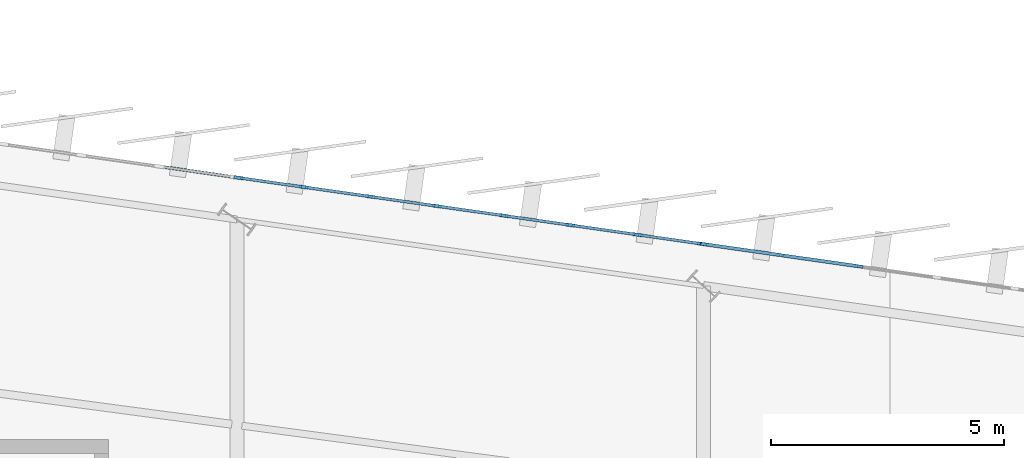
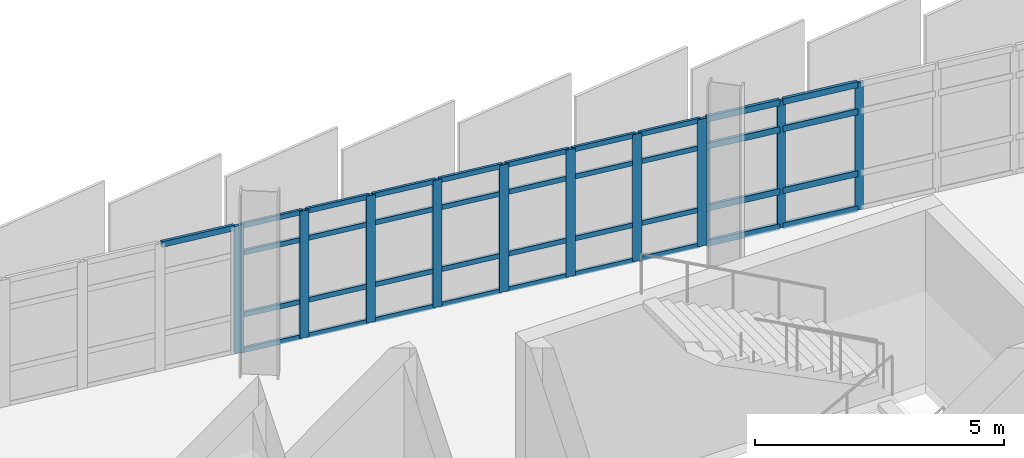
# One storey, part 55 of 120: 48 members, 3 elements without a shape of their own.
"""IFC4 building model written with IfcOpenShell, lengths in metres."""

from ifc_helpers import new_model, si_unit, direction, frame, origin, origin_2d, place, context, subcontext, project, spatial, rectangle, extrude, material, layer, layer_set, material_profile, profile_set, type_object, element, aggregate, save


model = new_model("IFC4")

# Units and contexts
model_context = context("Model", 3, precision=1e-05, world=origin(), true_north=direction((0.0, 1.0)))
body_context = subcontext(model_context, "Body", "Model", "MODEL_VIEW")
ifc_project = project(units=[si_unit("LENGTHUNIT", "METRE"), si_unit("AREAUNIT", "SQUARE_METRE"), si_unit("VOLUMEUNIT", "CUBIC_METRE"), si_unit("PLANEANGLEUNIT", "RADIAN"), si_unit("MASSUNIT", "GRAM", prefix="KILO")], contexts=[model_context])

# Site, building, storey
site_placement = place(None, origin())
site = spatial("IfcSite", under=ifc_project, at=site_placement, CompositionType="ELEMENT")
building_placement = place(site_placement, origin())
building = spatial("IfcBuilding", under=site, at=building_placement, Name="Sohan Crest Arena", CompositionType="ELEMENT")
storey_placement = place(building_placement, frame((0.0, 0.0, 13.5)))
storey = spatial("IfcBuildingStorey", under=building, at=storey_placement, Name="L03", CompositionType="ELEMENT", Elevation=13.5)

# Curtain wall, members
ifc_material = material(Name="Thermally broken anodised aluminium", Category="aluminium")
ifc_layer_1 = layer(ifc_material, 0.2099609375, Name="Thermally broken anodised aluminium")
ifc_layer_set_1 = layer_set([ifc_layer_1], Name="Thermally broken anodised aluminium")
curtain_wall_type_1 = type_object("IfcCurtainWallType", Name="ARC-CW06", PredefinedType="NOTDEFINED", material=ifc_layer_set_1)
curtain_wall_1_placement = place(storey_placement, origin())
curtain_wall_1 = element("IfcCurtainWall", 1, at=curtain_wall_1_placement, inside=storey, type_object=curtain_wall_type_1, Name="Unitised curtain wall CW-107", PredefinedType="NOTDEFINED")
ifc_material_profile_1 = material_profile(ifc_material, rectangle(XDim=0.06494140625, YDim=0.179931640625, at=origin_2d()), Name="ALU-MULL 65x180")
ifc_profile_set_1 = profile_set([ifc_material_profile_1], Name="Thermally broken anodised aluminium")
member_type_1 = type_object("IfcMemberType", Name="ARC-CW-ML02", PredefinedType="MULLION", material=ifc_profile_set_1)
member_1_placement = place(storey_placement, frame((141.333251953125, 120.709716796875, 0.0), z_axis=(0.0, 0.0, 1.0), x_axis=(-0.141462933734, -0.989943553128, 0.0)))
member_1 = element("IfcMember", 2, at=member_1_placement, type_object=member_type_1, Name="CW-107 mullion 5", PredefinedType="MULLION", context=body_context, shape_type="SweptSolid", body=[
    extrude(rectangle(XDim=0.06494140625, YDim=0.179931640625, at=origin_2d()), origin(), (0.0, 0.0, 1.0), 3.1201171875),
])
member_2_placement = place(storey_placement, frame((139.666748046875, 120.94775390625, 0.0), z_axis=(0.0, 0.0, 1.0), x_axis=(-0.141462933734, -0.989943553128, 0.0)))
member_2 = element("IfcMember", 3, at=member_2_placement, type_object=member_type_1, Name="CW-107 mullion 6", PredefinedType="MULLION", context=body_context, shape_type="SweptSolid", body=[
    extrude(rectangle(XDim=0.06494140625, YDim=0.179931640625, at=origin_2d()), origin(), (0.0, 0.0, 1.0), 3.1201171875),
])
member_3_placement = place(storey_placement, frame((138.0322265625, 121.181396484375, 0.0), z_axis=(0.0, 0.0, 1.0), x_axis=(-0.141462933734, -0.989943553128, 0.0)))
member_3 = element("IfcMember", 4, at=member_3_placement, type_object=member_type_1, Name="CW-107 mullion 7", PredefinedType="MULLION", context=body_context, shape_type="SweptSolid", body=[
    extrude(rectangle(XDim=0.06494140625, YDim=0.179931640625, at=origin_2d()), origin(), (0.0, 0.0, 1.0), 3.1201171875),
])

ifc_layer_2 = layer(ifc_material, 0.179931640625, Name="Thermally broken anodised aluminium")
ifc_layer_set_2 = layer_set([ifc_layer_2], Name="Thermally broken anodised aluminium")
curtain_wall_type_2 = type_object("IfcCurtainWallType", Name="ARC-CW01", PredefinedType="NOTDEFINED", material=ifc_layer_set_2)
curtain_wall_2_placement = place(storey_placement, origin())
curtain_wall_2 = element("IfcCurtainWall", 5, at=curtain_wall_2_placement, inside=storey, type_object=curtain_wall_type_2, Name="Unitised curtain wall CW-108", PredefinedType="NOTDEFINED")
ifc_material_profile_2 = material_profile(ifc_material, rectangle(XDim=0.070068359375, YDim=0.199951171875, at=origin_2d()), Name="ALU-MULL 70x200")
ifc_profile_set_2 = profile_set([ifc_material_profile_2], Name="Thermally broken anodised aluminium")
member_type_2 = type_object("IfcMemberType", Name="ARC-CW-ML03", PredefinedType="MULLION", material=ifc_profile_set_2)
member_4_placement = place(storey_placement, frame((137.96533203125, 121.19091796875, 0.0), z_axis=(0.0, 0.0, 1.0), x_axis=(-0.141365918403, -0.989957411768, 0.0)))
member_4 = element("IfcMember", 6, at=member_4_placement, type_object=member_type_2, Name="CW-108 mullion 1", PredefinedType="MULLION", context=body_context, shape_type="SweptSolid", body=[
    extrude(rectangle(XDim=0.070068359375, YDim=0.199951171875, at=origin_2d()), origin(), (0.0, 0.0, 1.0), 3.1201171875),
])
member_5_placement = place(storey_placement, frame((136.571533203125, 121.389892578125, 0.0), z_axis=(0.0, 0.0, 1.0), x_axis=(-0.141365918403, -0.989957411768, 0.0)))
member_5 = element("IfcMember", 7, at=member_5_placement, type_object=member_type_2, Name="CW-108 mullion 2", PredefinedType="MULLION", context=body_context, shape_type="SweptSolid", body=[
    extrude(rectangle(XDim=0.070068359375, YDim=0.199951171875, at=origin_2d()), origin(), (0.0, 0.0, 1.0), 3.1201171875),
])
member_6_placement = place(storey_placement, frame((135.142822265625, 121.593994140625, 0.0), z_axis=(0.0, 0.0, 1.0), x_axis=(-0.141365918403, -0.989957411768, 0.0)))
member_6 = element("IfcMember", 8, at=member_6_placement, type_object=member_type_2, Name="CW-108 mullion 3", PredefinedType="MULLION", context=body_context, shape_type="SweptSolid", body=[
    extrude(rectangle(XDim=0.070068359375, YDim=0.199951171875, at=origin_2d()), origin(), (0.0, 0.0, 1.0), 3.1201171875),
])
member_7_placement = place(storey_placement, frame((133.71435546875, 121.798095703125, 0.0), z_axis=(0.0, 0.0, 1.0), x_axis=(-0.141365918403, -0.989957411768, 0.0)))
member_7 = element("IfcMember", 9, at=member_7_placement, type_object=member_type_2, Name="CW-108 mullion 4", PredefinedType="MULLION", context=body_context, shape_type="SweptSolid", body=[
    extrude(rectangle(XDim=0.070068359375, YDim=0.199951171875, at=origin_2d()), origin(), (0.0, 0.0, 1.0), 3.1201171875),
])
member_8_placement = place(storey_placement, frame((132.28564453125, 122.001953125, 0.0), z_axis=(0.0, 0.0, 1.0), x_axis=(-0.141365918403, -0.989957411768, 0.0)))
member_8 = element("IfcMember", 10, at=member_8_placement, type_object=member_type_2, Name="CW-108 mullion 5", PredefinedType="MULLION", context=body_context, shape_type="SweptSolid", body=[
    extrude(rectangle(XDim=0.070068359375, YDim=0.199951171875, at=origin_2d()), origin(), (0.0, 0.0, 1.0), 3.1201171875),
])
member_9_placement = place(storey_placement, frame((130.857177734375, 122.2060546875, 0.0), z_axis=(0.0, 0.0, 1.0), x_axis=(-0.141365918403, -0.989957411768, 0.0)))
member_9 = element("IfcMember", 11, at=member_9_placement, type_object=member_type_2, Name="CW-108 mullion 6", PredefinedType="MULLION", context=body_context, shape_type="SweptSolid", body=[
    extrude(rectangle(XDim=0.070068359375, YDim=0.199951171875, at=origin_2d()), origin(), (0.0, 0.0, 1.0), 3.1201171875),
])
member_10_placement = place(storey_placement, frame((129.428466796875, 122.409912109375, 0.0), z_axis=(0.0, 0.0, 1.0), x_axis=(-0.141365918403, -0.989957411768, 0.0)))
member_10 = element("IfcMember", 12, at=member_10_placement, type_object=member_type_2, Name="CW-108 mullion 7", PredefinedType="MULLION", context=body_context, shape_type="SweptSolid", body=[
    extrude(rectangle(XDim=0.070068359375, YDim=0.199951171875, at=origin_2d()), origin(), (0.0, 0.0, 1.0), 3.1201171875),
])
member_11_placement = place(storey_placement, frame((128.03466796875, 122.609130859375, 0.0), z_axis=(0.0, 0.0, 1.0), x_axis=(-0.141365918403, -0.989957411768, 0.0)))
member_11 = element("IfcMember", 13, at=member_11_placement, type_object=member_type_2, Name="CW-108 mullion 8", PredefinedType="MULLION", context=body_context, shape_type="SweptSolid", body=[
    extrude(rectangle(XDim=0.070068359375, YDim=0.199951171875, at=origin_2d()), origin(), (0.0, 0.0, 1.0), 3.1201171875),
])
ifc_material_profile_3 = material_profile(ifc_material, rectangle(XDim=0.06005859375, YDim=0.1201171875, at=origin_2d()), Name="ALU-TRAN 60x120")
ifc_profile_set_3 = profile_set([ifc_material_profile_3], Name="Thermally broken anodised aluminium")
member_type_3 = type_object("IfcMemberType", Name="ARC-CW-TR01", PredefinedType="USERDEFINED", material=ifc_profile_set_3)
member_12_placement = place(storey_placement, frame((137.9306640625, 121.19580078125, 0.030029296875), z_axis=(-0.989953142256, 0.141395813721, 0.0), x_axis=(-0.141395813721, -0.989953142256, 0.0)))
member_12 = element("IfcMember", 14, at=member_12_placement, type_object=member_type_3, Name="CW-108 transom 1.1", ObjectType="TRANSOM", PredefinedType="USERDEFINED", context=body_context, shape_type="SweptSolid", body=[
    extrude(rectangle(XDim=0.06005859375, YDim=0.1201171875, at=origin_2d()), origin(), (0.0, 0.0, 1.0), 1.338134765625),
])
member_13_placement = place(storey_placement, frame((137.9306640625, 121.19580078125, 0.89990234375), z_axis=(-0.989953142256, 0.141395813721, 0.0), x_axis=(-0.141395813721, -0.989953142256, 0.0)))
member_13 = element("IfcMember", 15, at=member_13_placement, type_object=member_type_3, Name="CW-108 transom 1.2", ObjectType="TRANSOM", PredefinedType="USERDEFINED", context=body_context, shape_type="SweptSolid", body=[
    extrude(rectangle(XDim=0.06005859375, YDim=0.1201171875, at=origin_2d()), origin(), (0.0, 0.0, 1.0), 1.338134765625),
])
member_14_placement = place(storey_placement, frame((137.9306640625, 121.19580078125, 2.419921875), z_axis=(-0.989953142256, 0.141395813721, 0.0), x_axis=(-0.141395813721, -0.989953142256, 0.0)))
member_14 = element("IfcMember", 16, at=member_14_placement, type_object=member_type_3, Name="CW-108 transom 1.3", ObjectType="TRANSOM", PredefinedType="USERDEFINED", context=body_context, shape_type="SweptSolid", body=[
    extrude(rectangle(XDim=0.06005859375, YDim=0.1201171875, at=origin_2d()), origin(), (0.0, 0.0, 1.0), 1.338134765625),
])
member_15_placement = place(storey_placement, frame((137.9306640625, 121.19580078125, 3.090087890625), z_axis=(-0.989953142256, 0.141395813721, 0.0), x_axis=(-0.141395813721, -0.989953142256, 0.0)))
member_15 = element("IfcMember", 17, at=member_15_placement, type_object=member_type_3, Name="CW-108 transom 1.4", ObjectType="TRANSOM", PredefinedType="USERDEFINED", context=body_context, shape_type="SweptSolid", body=[
    extrude(rectangle(XDim=0.06005859375, YDim=0.1201171875, at=origin_2d()), origin(), (0.0, 0.0, 1.0), 1.338134765625),
])
member_16_placement = place(storey_placement, frame((136.536865234375, 121.39501953125, 0.030029296875), z_axis=(-0.989960158519, 0.141346682116, 0.0), x_axis=(-0.141346682116, -0.989960158519, 0.0)))
member_16 = element("IfcMember", 18, at=member_16_placement, type_object=member_type_3, Name="CW-108 transom 2.1", ObjectType="TRANSOM", PredefinedType="USERDEFINED", context=body_context, shape_type="SweptSolid", body=[
    extrude(rectangle(XDim=0.06005859375, YDim=0.1201171875, at=origin_2d()), origin(), (0.0, 0.0, 1.0), 1.373046875),
])
member_17_placement = place(storey_placement, frame((136.536865234375, 121.39501953125, 0.89990234375), z_axis=(-0.989960158519, 0.141346682116, 0.0), x_axis=(-0.141346682116, -0.989960158519, 0.0)))
member_17 = element("IfcMember", 19, at=member_17_placement, type_object=member_type_3, Name="CW-108 transom 2.2", ObjectType="TRANSOM", PredefinedType="USERDEFINED", context=body_context, shape_type="SweptSolid", body=[
    extrude(rectangle(XDim=0.06005859375, YDim=0.1201171875, at=origin_2d()), origin(), (0.0, 0.0, 1.0), 1.373046875),
])
member_18_placement = place(storey_placement, frame((136.536865234375, 121.39501953125, 2.419921875), z_axis=(-0.989960158519, 0.141346682116, 0.0), x_axis=(-0.141346682116, -0.989960158519, 0.0)))
member_18 = element("IfcMember", 20, at=member_18_placement, type_object=member_type_3, Name="CW-108 transom 2.3", ObjectType="TRANSOM", PredefinedType="USERDEFINED", context=body_context, shape_type="SweptSolid", body=[
    extrude(rectangle(XDim=0.06005859375, YDim=0.1201171875, at=origin_2d()), origin(), (0.0, 0.0, 1.0), 1.373046875),
])
member_19_placement = place(storey_placement, frame((136.536865234375, 121.39501953125, 3.090087890625), z_axis=(-0.989960158519, 0.141346682116, 0.0), x_axis=(-0.141346682116, -0.989960158519, 0.0)))
member_19 = element("IfcMember", 21, at=member_19_placement, type_object=member_type_3, Name="CW-108 transom 2.4", ObjectType="TRANSOM", PredefinedType="USERDEFINED", context=body_context, shape_type="SweptSolid", body=[
    extrude(rectangle(XDim=0.06005859375, YDim=0.1201171875, at=origin_2d()), origin(), (0.0, 0.0, 1.0), 1.373046875),
])
member_20_placement = place(storey_placement, frame((135.108154296875, 121.598876953125, 0.030029296875), z_axis=(-0.989956605444, 0.141371564815, 0.0), x_axis=(-0.141371564815, -0.989956605444, 0.0)))
member_20 = element("IfcMember", 22, at=member_20_placement, type_object=member_type_3, Name="CW-108 transom 3.1", ObjectType="TRANSOM", PredefinedType="USERDEFINED", context=body_context, shape_type="SweptSolid", body=[
    extrude(rectangle(XDim=0.06005859375, YDim=0.1201171875, at=origin_2d()), origin(), (0.0, 0.0, 1.0), 1.372802734375),
])
member_21_placement = place(storey_placement, frame((135.108154296875, 121.598876953125, 0.89990234375), z_axis=(-0.989956605444, 0.141371564815, 0.0), x_axis=(-0.141371564815, -0.989956605444, 0.0)))
member_21 = element("IfcMember", 23, at=member_21_placement, type_object=member_type_3, Name="CW-108 transom 3.2", ObjectType="TRANSOM", PredefinedType="USERDEFINED", context=body_context, shape_type="SweptSolid", body=[
    extrude(rectangle(XDim=0.06005859375, YDim=0.1201171875, at=origin_2d()), origin(), (0.0, 0.0, 1.0), 1.372802734375),
])
member_22_placement = place(storey_placement, frame((135.108154296875, 121.598876953125, 2.419921875), z_axis=(-0.989956605444, 0.141371564815, 0.0), x_axis=(-0.141371564815, -0.989956605444, 0.0)))
member_22 = element("IfcMember", 24, at=member_22_placement, type_object=member_type_3, Name="CW-108 transom 3.3", ObjectType="TRANSOM", PredefinedType="USERDEFINED", context=body_context, shape_type="SweptSolid", body=[
    extrude(rectangle(XDim=0.06005859375, YDim=0.1201171875, at=origin_2d()), origin(), (0.0, 0.0, 1.0), 1.372802734375),
])
member_23_placement = place(storey_placement, frame((135.108154296875, 121.598876953125, 3.090087890625), z_axis=(-0.989956605444, 0.141371564815, 0.0), x_axis=(-0.141371564815, -0.989956605444, 0.0)))
member_23 = element("IfcMember", 25, at=member_23_placement, type_object=member_type_3, Name="CW-108 transom 3.4", ObjectType="TRANSOM", PredefinedType="USERDEFINED", context=body_context, shape_type="SweptSolid", body=[
    extrude(rectangle(XDim=0.06005859375, YDim=0.1201171875, at=origin_2d()), origin(), (0.0, 0.0, 1.0), 1.372802734375),
])
member_24_placement = place(storey_placement, frame((133.6796875, 121.802978515625, 0.030029296875), z_axis=(-0.989960158519, 0.141346682116, 0.0), x_axis=(-0.141346682116, -0.989960158519, 0.0)))
member_24 = element("IfcMember", 26, at=member_24_placement, type_object=member_type_3, Name="CW-108 transom 4.1", ObjectType="TRANSOM", PredefinedType="USERDEFINED", context=body_context, shape_type="SweptSolid", body=[
    extrude(rectangle(XDim=0.06005859375, YDim=0.1201171875, at=origin_2d()), origin(), (0.0, 0.0, 1.0), 1.373046875),
])
member_25_placement = place(storey_placement, frame((133.6796875, 121.802978515625, 0.89990234375), z_axis=(-0.989960158519, 0.141346682116, 0.0), x_axis=(-0.141346682116, -0.989960158519, 0.0)))
member_25 = element("IfcMember", 27, at=member_25_placement, type_object=member_type_3, Name="CW-108 transom 4.2", ObjectType="TRANSOM", PredefinedType="USERDEFINED", context=body_context, shape_type="SweptSolid", body=[
    extrude(rectangle(XDim=0.06005859375, YDim=0.1201171875, at=origin_2d()), origin(), (0.0, 0.0, 1.0), 1.373046875),
])
member_26_placement = place(storey_placement, frame((133.6796875, 121.802978515625, 2.419921875), z_axis=(-0.989960158519, 0.141346682116, 0.0), x_axis=(-0.141346682116, -0.989960158519, 0.0)))
member_26 = element("IfcMember", 28, at=member_26_placement, type_object=member_type_3, Name="CW-108 transom 4.3", ObjectType="TRANSOM", PredefinedType="USERDEFINED", context=body_context, shape_type="SweptSolid", body=[
    extrude(rectangle(XDim=0.06005859375, YDim=0.1201171875, at=origin_2d()), origin(), (0.0, 0.0, 1.0), 1.373046875),
])
member_27_placement = place(storey_placement, frame((133.6796875, 121.802978515625, 3.090087890625), z_axis=(-0.989960158519, 0.141346682116, 0.0), x_axis=(-0.141346682116, -0.989960158519, 0.0)))
member_27 = element("IfcMember", 29, at=member_27_placement, type_object=member_type_3, Name="CW-108 transom 4.4", ObjectType="TRANSOM", PredefinedType="USERDEFINED", context=body_context, shape_type="SweptSolid", body=[
    extrude(rectangle(XDim=0.06005859375, YDim=0.1201171875, at=origin_2d()), origin(), (0.0, 0.0, 1.0), 1.373046875),
])
member_28_placement = place(storey_placement, frame((132.2509765625, 122.0068359375, 0.030029296875), z_axis=(-0.989931703696, 0.141545830096, 0.0), x_axis=(-0.141545830096, -0.989931703696, 0.0)))
member_28 = element("IfcMember", 30, at=member_28_placement, type_object=member_type_3, Name="CW-108 transom 5.1", ObjectType="TRANSOM", PredefinedType="USERDEFINED", context=body_context, shape_type="SweptSolid", body=[
    extrude(rectangle(XDim=0.06005859375, YDim=0.1201171875, at=origin_2d()), origin(), (0.0, 0.0, 1.0), 1.373046875),
])
member_29_placement = place(storey_placement, frame((132.2509765625, 122.0068359375, 0.89990234375), z_axis=(-0.989931703696, 0.141545830096, 0.0), x_axis=(-0.141545830096, -0.989931703696, 0.0)))
member_29 = element("IfcMember", 31, at=member_29_placement, type_object=member_type_3, Name="CW-108 transom 5.2", ObjectType="TRANSOM", PredefinedType="USERDEFINED", context=body_context, shape_type="SweptSolid", body=[
    extrude(rectangle(XDim=0.06005859375, YDim=0.1201171875, at=origin_2d()), origin(), (0.0, 0.0, 1.0), 1.373046875),
])
member_30_placement = place(storey_placement, frame((132.2509765625, 122.0068359375, 2.419921875), z_axis=(-0.989931703696, 0.141545830096, 0.0), x_axis=(-0.141545830096, -0.989931703696, 0.0)))
member_30 = element("IfcMember", 32, at=member_30_placement, type_object=member_type_3, Name="CW-108 transom 5.3", ObjectType="TRANSOM", PredefinedType="USERDEFINED", context=body_context, shape_type="SweptSolid", body=[
    extrude(rectangle(XDim=0.06005859375, YDim=0.1201171875, at=origin_2d()), origin(), (0.0, 0.0, 1.0), 1.373046875),
])
member_31_placement = place(storey_placement, frame((132.2509765625, 122.0068359375, 3.090087890625), z_axis=(-0.989931703696, 0.141545830096, 0.0), x_axis=(-0.141545830096, -0.989931703696, 0.0)))
member_31 = element("IfcMember", 33, at=member_31_placement, type_object=member_type_3, Name="CW-108 transom 5.4", ObjectType="TRANSOM", PredefinedType="USERDEFINED", context=body_context, shape_type="SweptSolid", body=[
    extrude(rectangle(XDim=0.06005859375, YDim=0.1201171875, at=origin_2d()), origin(), (0.0, 0.0, 1.0), 1.373046875),
])
member_32_placement = place(storey_placement, frame((130.822509765625, 122.2109375, 0.030029296875), z_axis=(-0.989960158519, 0.141346682116, 0.0), x_axis=(-0.141346682116, -0.989960158519, 0.0)))
member_32 = element("IfcMember", 34, at=member_32_placement, type_object=member_type_3, Name="CW-108 transom 6.1", ObjectType="TRANSOM", PredefinedType="USERDEFINED", context=body_context, shape_type="SweptSolid", body=[
    extrude(rectangle(XDim=0.06005859375, YDim=0.1201171875, at=origin_2d()), origin(), (0.0, 0.0, 1.0), 1.373046875),
])
member_33_placement = place(storey_placement, frame((130.822509765625, 122.2109375, 0.89990234375), z_axis=(-0.989960158519, 0.141346682116, 0.0), x_axis=(-0.141346682116, -0.989960158519, 0.0)))
member_33 = element("IfcMember", 35, at=member_33_placement, type_object=member_type_3, Name="CW-108 transom 6.2", ObjectType="TRANSOM", PredefinedType="USERDEFINED", context=body_context, shape_type="SweptSolid", body=[
    extrude(rectangle(XDim=0.06005859375, YDim=0.1201171875, at=origin_2d()), origin(), (0.0, 0.0, 1.0), 1.373046875),
])
member_34_placement = place(storey_placement, frame((130.822509765625, 122.2109375, 2.419921875), z_axis=(-0.989960158519, 0.141346682116, 0.0), x_axis=(-0.141346682116, -0.989960158519, 0.0)))
member_34 = element("IfcMember", 36, at=member_34_placement, type_object=member_type_3, Name="CW-108 transom 6.3", ObjectType="TRANSOM", PredefinedType="USERDEFINED", context=body_context, shape_type="SweptSolid", body=[
    extrude(rectangle(XDim=0.06005859375, YDim=0.1201171875, at=origin_2d()), origin(), (0.0, 0.0, 1.0), 1.373046875),
])
member_35_placement = place(storey_placement, frame((130.822509765625, 122.2109375, 3.090087890625), z_axis=(-0.989960158519, 0.141346682116, 0.0), x_axis=(-0.141346682116, -0.989960158519, 0.0)))
member_35 = element("IfcMember", 37, at=member_35_placement, type_object=member_type_3, Name="CW-108 transom 6.4", ObjectType="TRANSOM", PredefinedType="USERDEFINED", context=body_context, shape_type="SweptSolid", body=[
    extrude(rectangle(XDim=0.06005859375, YDim=0.1201171875, at=origin_2d()), origin(), (0.0, 0.0, 1.0), 1.373046875),
])
member_36_placement = place(storey_placement, frame((129.39404296875, 122.4150390625, 0.030029296875), z_axis=(-0.989978664717, 0.1412170082, 0.0), x_axis=(-0.1412170082, -0.989978664717, 0.0)))
member_36 = element("IfcMember", 38, at=member_36_placement, type_object=member_type_3, Name="CW-108 transom 7.1", ObjectType="TRANSOM", PredefinedType="USERDEFINED", context=body_context, shape_type="SweptSolid", body=[
    extrude(rectangle(XDim=0.06005859375, YDim=0.1201171875, at=origin_2d()), origin(), (0.0, 0.0, 1.0), 1.338134765625),
])
member_37_placement = place(storey_placement, frame((129.39404296875, 122.4150390625, 0.89990234375), z_axis=(-0.989978664717, 0.1412170082, 0.0), x_axis=(-0.1412170082, -0.989978664717, 0.0)))
member_37 = element("IfcMember", 39, at=member_37_placement, type_object=member_type_3, Name="CW-108 transom 7.2", ObjectType="TRANSOM", PredefinedType="USERDEFINED", context=body_context, shape_type="SweptSolid", body=[
    extrude(rectangle(XDim=0.06005859375, YDim=0.1201171875, at=origin_2d()), origin(), (0.0, 0.0, 1.0), 1.338134765625),
])
member_38_placement = place(storey_placement, frame((129.39404296875, 122.4150390625, 2.419921875), z_axis=(-0.989978664717, 0.1412170082, 0.0), x_axis=(-0.1412170082, -0.989978664717, 0.0)))
member_38 = element("IfcMember", 40, at=member_38_placement, type_object=member_type_3, Name="CW-108 transom 7.3", ObjectType="TRANSOM", PredefinedType="USERDEFINED", context=body_context, shape_type="SweptSolid", body=[
    extrude(rectangle(XDim=0.06005859375, YDim=0.1201171875, at=origin_2d()), origin(), (0.0, 0.0, 1.0), 1.338134765625),
])
member_39_placement = place(storey_placement, frame((129.39404296875, 122.4150390625, 3.090087890625), z_axis=(-0.989978664717, 0.1412170082, 0.0), x_axis=(-0.1412170082, -0.989978664717, 0.0)))
member_39 = element("IfcMember", 41, at=member_39_placement, type_object=member_type_3, Name="CW-108 transom 7.4", ObjectType="TRANSOM", PredefinedType="USERDEFINED", context=body_context, shape_type="SweptSolid", body=[
    extrude(rectangle(XDim=0.06005859375, YDim=0.1201171875, at=origin_2d()), origin(), (0.0, 0.0, 1.0), 1.338134765625),
])
aggregate(curtain_wall_2, [member_4, member_5, member_6, member_7, member_8, member_9, member_10, member_11, member_12, member_13, member_14, member_15, member_16, member_17, member_18, member_19, member_20, member_21, member_22, member_23, member_24, member_25, member_26, member_27, member_28, member_29, member_30, member_31, member_32, member_33, member_34, member_35, member_36, member_37, member_38, member_39])

# Curtain wall, member
ifc_layer_3 = layer(ifc_material, 0.199951171875, Name="Thermally broken anodised aluminium")
ifc_layer_set_3 = layer_set([ifc_layer_3], Name="Thermally broken anodised aluminium")
curtain_wall_type_3 = type_object("IfcCurtainWallType", Name="ARC-CW02", PredefinedType="NOTDEFINED", material=ifc_layer_set_3)
curtain_wall_3_placement = place(storey_placement, origin())
curtain_wall_3 = element("IfcCurtainWall", 42, at=curtain_wall_3_placement, inside=storey, type_object=curtain_wall_type_3, Name="Unitised curtain wall CW-109", PredefinedType="NOTDEFINED")
ifc_material_profile_4 = material_profile(ifc_material, rectangle(XDim=0.06494140625, YDim=0.139892578125, at=origin_2d()), Name="ALU-TRAN 65x140")
ifc_profile_set_4 = profile_set([ifc_material_profile_4], Name="Thermally broken anodised aluminium")
member_type_4 = type_object("IfcMemberType", Name="ARC-CW-TR02", PredefinedType="USERDEFINED", material=ifc_profile_set_4)
member_40_placement = place(storey_placement, frame((127.92578125, 122.62451171875, 3.08740234375), z_axis=(-0.989930839365, 0.141551874849, 0.0), x_axis=(-0.141551874849, -0.989930839365, 0.0)))
member_40 = element("IfcMember", 43, at=member_40_placement, type_object=member_type_4, Name="CW-109 transom 1.4", ObjectType="TRANSOM", PredefinedType="USERDEFINED", context=body_context, shape_type="SweptSolid", body=[
    extrude(rectangle(XDim=0.06494140625, YDim=0.139892578125, at=origin_2d()), origin(), (0.0, 0.0, 1.0), 1.5712890625),
])
aggregate(curtain_wall_3, [member_40])

# Member
ifc_material_profile_5 = material_profile(ifc_material, rectangle(XDim=0.070068359375, YDim=0.14990234375, at=origin_2d()), Name="ALU-TRAN 70x150")
ifc_profile_set_5 = profile_set([ifc_material_profile_5], Name="Thermally broken anodised aluminium")
member_type_5 = type_object("IfcMemberType", Name="ARC-CW-TR03", PredefinedType="USERDEFINED", material=ifc_profile_set_5)
member_41_placement = place(storey_placement, frame((141.30126953125, 120.71435546875, 0.034912109375), z_axis=(-0.989964569759, 0.141315783343, 0.0), x_axis=(-0.141315783343, -0.989964569759, 0.0)))
member_41 = element("IfcMember", 44, at=member_41_placement, type_object=member_type_5, Name="CW-107 transom 5.1", ObjectType="TRANSOM", PredefinedType="USERDEFINED", context=body_context, shape_type="SweptSolid", body=[
    extrude(rectangle(XDim=0.070068359375, YDim=0.14990234375, at=origin_2d()), origin(), (0.0, 0.0, 1.0), 1.618896484375),
])

member_42_placement = place(storey_placement, frame((141.30126953125, 120.71435546875, 0.89990234375), z_axis=(-0.989964569759, 0.141315783343, 0.0), x_axis=(-0.141315783343, -0.989964569759, 0.0)))
member_42 = element("IfcMember", 45, at=member_42_placement, type_object=member_type_5, Name="CW-107 transom 5.2", ObjectType="TRANSOM", PredefinedType="USERDEFINED", context=body_context, shape_type="SweptSolid", body=[
    extrude(rectangle(XDim=0.070068359375, YDim=0.14990234375, at=origin_2d()), origin(), (0.0, 0.0, 1.0), 1.618896484375),
])

member_43_placement = place(storey_placement, frame((141.30126953125, 120.71435546875, 2.419921875), z_axis=(-0.989964569759, 0.141315783343, 0.0), x_axis=(-0.141315783343, -0.989964569759, 0.0)))
member_43 = element("IfcMember", 46, at=member_43_placement, type_object=member_type_5, Name="CW-107 transom 5.3", ObjectType="TRANSOM", PredefinedType="USERDEFINED", context=body_context, shape_type="SweptSolid", body=[
    extrude(rectangle(XDim=0.070068359375, YDim=0.14990234375, at=origin_2d()), origin(), (0.0, 0.0, 1.0), 1.618896484375),
])

member_44_placement = place(storey_placement, frame((141.30126953125, 120.71435546875, 3.0849609375), z_axis=(-0.989964569759, 0.141315783343, 0.0), x_axis=(-0.141315783343, -0.989964569759, 0.0)))
member_44 = element("IfcMember", 47, at=member_44_placement, type_object=member_type_5, Name="CW-107 transom 5.4", ObjectType="TRANSOM", PredefinedType="USERDEFINED", context=body_context, shape_type="SweptSolid", body=[
    extrude(rectangle(XDim=0.070068359375, YDim=0.14990234375, at=origin_2d()), origin(), (0.0, 0.0, 1.0), 1.618896484375),
])

member_45_placement = place(storey_placement, frame((139.634521484375, 120.952392578125, 0.034912109375), z_axis=(-0.989943335402, 0.141464457353, 0.0), x_axis=(-0.141464457353, -0.989943335402, 0.0)))
member_45 = element("IfcMember", 48, at=member_45_placement, type_object=member_type_5, Name="CW-107 transom 6.1", ObjectType="TRANSOM", PredefinedType="USERDEFINED", context=body_context, shape_type="SweptSolid", body=[
    extrude(rectangle(XDim=0.070068359375, YDim=0.14990234375, at=origin_2d()), origin(), (0.0, 0.0, 1.0), 1.5859375),
])

member_46_placement = place(storey_placement, frame((139.634521484375, 120.952392578125, 0.89990234375), z_axis=(-0.989943335402, 0.141464457353, 0.0), x_axis=(-0.141464457353, -0.989943335402, 0.0)))
member_46 = element("IfcMember", 49, at=member_46_placement, type_object=member_type_5, Name="CW-107 transom 6.2", ObjectType="TRANSOM", PredefinedType="USERDEFINED", context=body_context, shape_type="SweptSolid", body=[
    extrude(rectangle(XDim=0.070068359375, YDim=0.14990234375, at=origin_2d()), origin(), (0.0, 0.0, 1.0), 1.5859375),
])

member_47_placement = place(storey_placement, frame((139.634521484375, 120.952392578125, 2.419921875), z_axis=(-0.989943335402, 0.141464457353, 0.0), x_axis=(-0.141464457353, -0.989943335402, 0.0)))
member_47 = element("IfcMember", 50, at=member_47_placement, type_object=member_type_5, Name="CW-107 transom 6.3", ObjectType="TRANSOM", PredefinedType="USERDEFINED", context=body_context, shape_type="SweptSolid", body=[
    extrude(rectangle(XDim=0.070068359375, YDim=0.14990234375, at=origin_2d()), origin(), (0.0, 0.0, 1.0), 1.5859375),
])

member_48_placement = place(storey_placement, frame((139.634521484375, 120.952392578125, 3.0849609375), z_axis=(-0.989943335402, 0.141464457353, 0.0), x_axis=(-0.141464457353, -0.989943335402, 0.0)))
member_48 = element("IfcMember", 51, at=member_48_placement, type_object=member_type_5, Name="CW-107 transom 6.4", ObjectType="TRANSOM", PredefinedType="USERDEFINED", context=body_context, shape_type="SweptSolid", body=[
    extrude(rectangle(XDim=0.070068359375, YDim=0.14990234375, at=origin_2d()), origin(), (0.0, 0.0, 1.0), 1.5859375),
])

aggregate(curtain_wall_1, [member_1, member_2, member_3, member_41, member_42, member_43, member_44, member_45, member_46, member_47, member_48])

save(model, "model.ifc")
